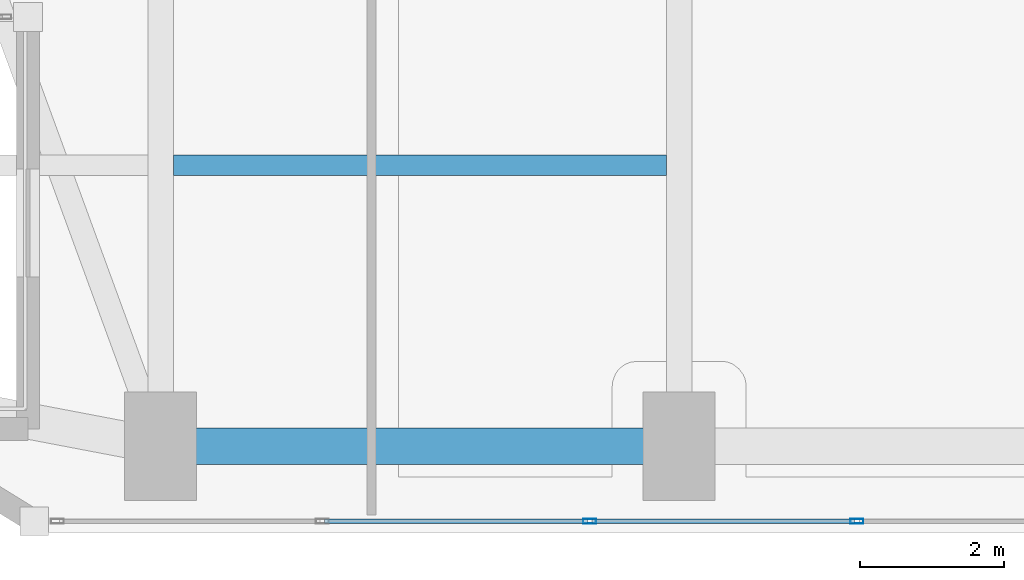
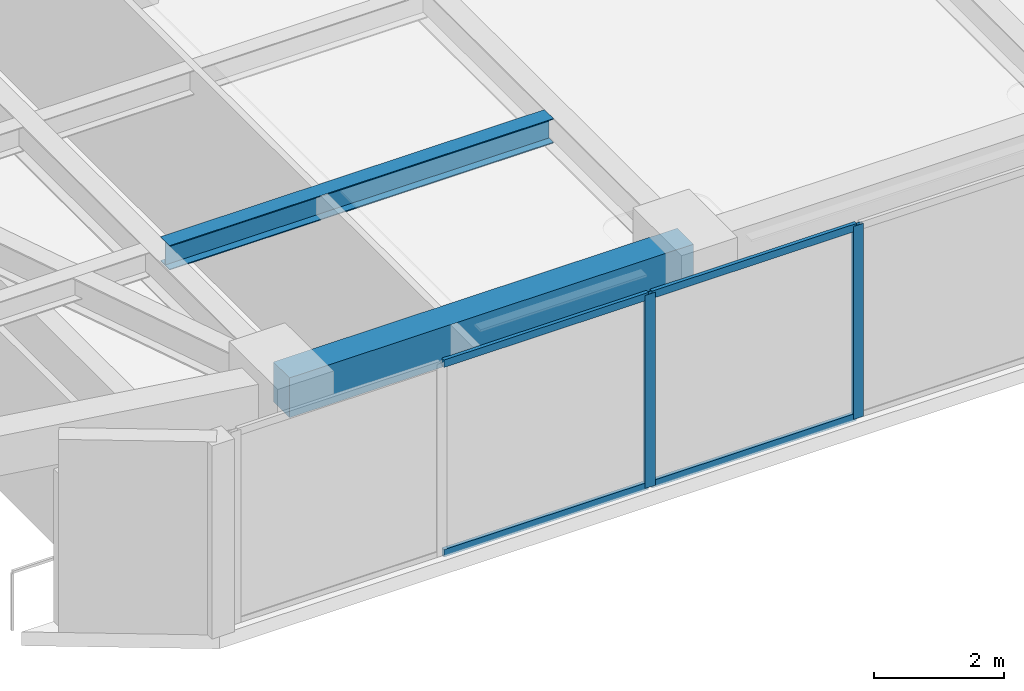
# One storey, part 5 of 26: 6 members, 2 beams, 1 element without a shape of its own.
"""IFC4 building model written with IfcOpenShell, lengths in metres."""

from ifc_helpers import new_model, si_unit, direction, frame, origin, origin_2d, place, context, subcontext, project, spatial, rectangle, hollow_rectangle, i_section, extrude, material, layer, layer_set, material_profile, profile_set, type_object, element, aggregate, save


model = new_model("IFC4")

# Units and contexts
model_context = context("Model", 3, precision=1e-05, world=origin(), true_north=direction((0.0, 1.0)))
body_context = subcontext(model_context, "Body", "Model", "MODEL_VIEW")
ifc_project = project(units=[si_unit("LENGTHUNIT", "METRE"), si_unit("AREAUNIT", "SQUARE_METRE"), si_unit("VOLUMEUNIT", "CUBIC_METRE"), si_unit("PLANEANGLEUNIT", "RADIAN"), si_unit("MASSUNIT", "GRAM", prefix="KILO")], contexts=[model_context])

# Site, building, storey
site_placement = place(None, origin())
site = spatial("IfcSite", under=ifc_project, at=site_placement, CompositionType="ELEMENT")
building_placement = place(site_placement, origin())
building = spatial("IfcBuilding", under=site, at=building_placement, Name="Kiyonajd Concourse Tower", CompositionType="ELEMENT")
storey_placement = place(building_placement, frame((0.0, 0.0, 72.89990234375)))
storey = spatial("IfcBuildingStorey", under=building, at=storey_placement, Name="L19", CompositionType="ELEMENT", Elevation=72.89990234375)

# Beams
ifc_material_1 = material(Name="Steel ASTM A992 Grade 50", Category="steel")
ifc_material_profile_1 = material_profile(ifc_material_1, i_section(OverallWidth=0.280029296875, OverallDepth=0.462890625, WebThickness=0.0107421875, FlangeThickness=0.017333984375, at=origin_2d()), Name="W460X113")
ifc_profile_set_1 = profile_set([ifc_material_profile_1], Name="Steel ASTM A992 Grade 50")
beam_type_1 = type_object("IfcBeamType", Name="BM-JST-460A", PredefinedType="JOIST", material=ifc_profile_set_1)
beam_1_placement = place(storey_placement, frame((56.577392578125, 14.699951171875, 3.40869140625), z_axis=(1.0, 0.0, 0.0), x_axis=(0.0, 1.0, 0.0)))
element("IfcBeam", 1, at=beam_1_placement, inside=storey, type_object=beam_type_1, Name="L19 Secondary Floor Joist", PredefinedType="JOIST", context=body_context, shape_type="SweptSolid", body=[
    extrude(i_section(OverallWidth=0.280029296875, OverallDepth=0.462890625, WebThickness=0.0107421875, FlangeThickness=0.017333984375, at=origin_2d()), origin(), (0.0, 0.0, 1.0), 6.84521484375),
])
ifc_material_2 = material(Name="Precast concrete C50/60", Category="concrete")
ifc_material_profile_2 = material_profile(ifc_material_2, rectangle(XDim=0.5, YDim=0.75, at=origin_2d()), Name="RCBM-500x750")
ifc_profile_set_2 = profile_set([ifc_material_profile_2], Name="Precast concrete C50/60")
beam_type_2 = type_object("IfcBeamType", Name="BM-SPAN-RC", PredefinedType="SPANDREL", material=ifc_profile_set_2)
beam_2_placement = place(storey_placement, frame((56.39990234375, 10.800048828125, 3.26513671875), z_axis=(1.0, 0.0, 0.0), x_axis=(0.0, 1.0, 0.0)))
element("IfcBeam", 2, at=beam_2_placement, inside=storey, type_object=beam_type_2, Name="L19 Perimeter Bundled Tube Spandrel", PredefinedType="SPANDREL", context=body_context, shape_type="SweptSolid", body=[
    extrude(rectangle(XDim=0.5, YDim=0.75, at=origin_2d()), origin(), (0.0, 0.0, 1.0), 7.2001953125),
])

# Curtain wall, members
ifc_material_3 = material(Name="Thermally Broken Anodised Aluminium", Category="aluminium")
ifc_layer = layer(ifc_material_3, 0.179931640625)
ifc_layer_set = layer_set([ifc_layer], Name="Thermally Broken Anodised Aluminium")
curtain_wall_type = type_object("IfcCurtainWallType", Name="CW-SYS-02", PredefinedType="NOTDEFINED", material=ifc_layer_set)
curtain_wall_placement = place(storey_placement, origin())
curtain_wall = element("IfcCurtainWall", 3, at=curtain_wall_placement, inside=storey, type_object=curtain_wall_type, Name="L19 Unitised Curtain Wall CW2", PredefinedType="NOTDEFINED")
ifc_material_profile_3 = material_profile(ifc_material_3, hollow_rectangle(XDim=0.06494140625, YDim=0.179931640625, WallThickness=0.00390625, at=origin_2d()), Name="MULL-65x180")
ifc_profile_set_3 = profile_set([ifc_material_profile_3], Name="Thermally Broken Anodised Aluminium")
member_type_1 = type_object("IfcMemberType", Name="MB-CW-MULL1", PredefinedType="MULLION", material=ifc_profile_set_3)
member_1_placement = place(storey_placement, frame((66.0673828125, 9.760009765625, 0.0), z_axis=(0.0, 0.0, 1.0), x_axis=(0.0, -1.0, 0.0)))
member_1 = element("IfcMember", 4, at=member_1_placement, type_object=member_type_1, Name="CW2 mullion 3", PredefinedType="MULLION", context=body_context, shape_type="SweptSolid", body=[
    extrude(hollow_rectangle(XDim=0.06494140625, YDim=0.179931640625, WallThickness=0.00390625, at=origin_2d()), origin(), (0.0, 0.0, 1.0), 3.64013671875),
])
member_2_placement = place(storey_placement, frame((62.356689453125, 9.760009765625, 0.0), z_axis=(0.0, 0.0, 1.0), x_axis=(0.0, -1.0, 0.0)))
member_2 = element("IfcMember", 5, at=member_2_placement, type_object=member_type_1, Name="CW2 mullion 4", PredefinedType="MULLION", context=body_context, shape_type="SweptSolid", body=[
    extrude(hollow_rectangle(XDim=0.06494140625, YDim=0.179931640625, WallThickness=0.00390625, at=origin_2d()), origin(), (0.0, 0.0, 1.0), 3.64013671875),
])
ifc_material_profile_4 = material_profile(ifc_material_3, hollow_rectangle(XDim=0.06494140625, YDim=0.139892578125, WallThickness=0.00390625, at=origin_2d()), Name="TRAN-65x140")
ifc_profile_set_4 = profile_set([ifc_material_profile_4], Name="Thermally Broken Anodised Aluminium")
member_type_2 = type_object("IfcMemberType", Name="MB-CW-TRAN1", PredefinedType="USERDEFINED", material=ifc_profile_set_4)
member_3_placement = place(storey_placement, frame((66.034912109375, 9.760009765625, 0.03271484375), z_axis=(-1.0, 0.0, 0.0), x_axis=(0.0, -1.0, 0.0)))
member_3 = element("IfcMember", 6, at=member_3_placement, type_object=member_type_2, Name="CW2 transom 3.1", ObjectType="TRANSOM", PredefinedType="USERDEFINED", context=body_context, shape_type="SweptSolid", body=[
    extrude(hollow_rectangle(XDim=0.06494140625, YDim=0.139892578125, WallThickness=0.00390625, at=origin_2d()), origin(), (0.0, 0.0, 1.0), 3.645751953125),
])
member_4_placement = place(storey_placement, frame((66.034912109375, 9.760009765625, 3.607666015625), z_axis=(-1.0, 0.0, 0.0), x_axis=(0.0, -1.0, 0.0)))
member_4 = element("IfcMember", 7, at=member_4_placement, type_object=member_type_2, Name="CW2 transom 3.2", ObjectType="TRANSOM", PredefinedType="USERDEFINED", context=body_context, shape_type="SweptSolid", body=[
    extrude(hollow_rectangle(XDim=0.06494140625, YDim=0.139892578125, WallThickness=0.00390625, at=origin_2d()), origin(), (0.0, 0.0, 1.0), 3.645751953125),
])
member_5_placement = place(storey_placement, frame((62.32421875, 9.760009765625, 0.03271484375), z_axis=(-1.0, 0.0, 0.0), x_axis=(0.0, -1.0, 0.0)))
member_5 = element("IfcMember", 8, at=member_5_placement, type_object=member_type_2, Name="CW2 transom 4.1", ObjectType="TRANSOM", PredefinedType="USERDEFINED", context=body_context, shape_type="SweptSolid", body=[
    extrude(hollow_rectangle(XDim=0.06494140625, YDim=0.139892578125, WallThickness=0.00390625, at=origin_2d()), origin(), (0.0, 0.0, 1.0), 3.645751953125),
])
member_6_placement = place(storey_placement, frame((62.32421875, 9.760009765625, 3.607666015625), z_axis=(-1.0, 0.0, 0.0), x_axis=(0.0, -1.0, 0.0)))
member_6 = element("IfcMember", 9, at=member_6_placement, type_object=member_type_2, Name="CW2 transom 4.2", ObjectType="TRANSOM", PredefinedType="USERDEFINED", context=body_context, shape_type="SweptSolid", body=[
    extrude(hollow_rectangle(XDim=0.06494140625, YDim=0.139892578125, WallThickness=0.00390625, at=origin_2d()), origin(), (0.0, 0.0, 1.0), 3.645751953125),
])
aggregate(curtain_wall, [member_1, member_2, member_3, member_4, member_5, member_6])

save(model, "model.ifc")
